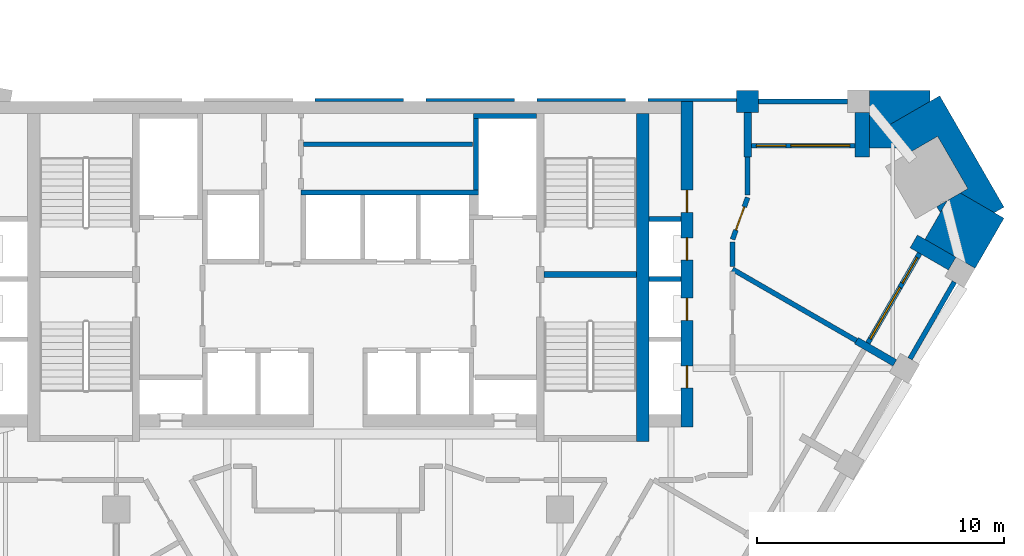
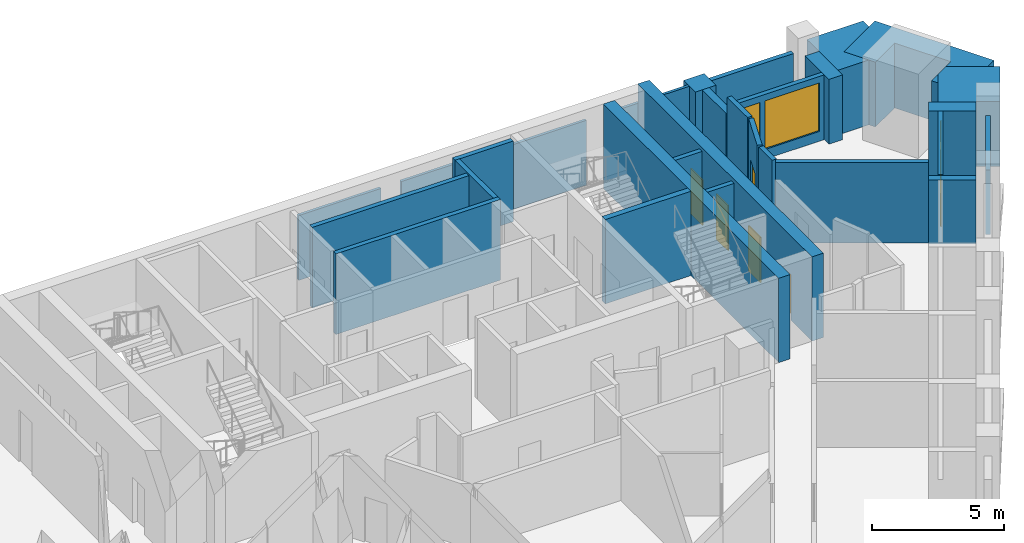
# One storey, part 7 of 9: 30 walls, 7 doors, 2 windows, 9 openings.
"""IFC4 building model written with IfcOpenShell, lengths in metres."""

from ifc_helpers import new_model, si_unit, direction, frame, frame_2d, origin, place, context, subcontext, project, spatial, polyline, rectangle, outline, extrude, material, layer, layer_set, type_object, element, fill, save


model = new_model("IFC4")

# Units and contexts
model_context = context("Model", 3, precision=1e-05, world=origin(), true_north=direction((0.0, 1.0)))
body_context = subcontext(model_context, "Body", "Model", "MODEL_VIEW")
ifc_project = project(units=[si_unit("LENGTHUNIT", "METRE"), si_unit("AREAUNIT", "SQUARE_METRE"), si_unit("VOLUMEUNIT", "CUBIC_METRE"), si_unit("PLANEANGLEUNIT", "RADIAN"), si_unit("MASSUNIT", "GRAM", prefix="KILO")], contexts=[model_context])

# Site, building, storey
site_placement = place(None, origin())
site = spatial("IfcSite", under=ifc_project, at=site_placement, CompositionType="ELEMENT")
building_placement = place(site_placement, origin())
building = spatial("IfcBuilding", under=site, at=building_placement, Name="Calabash Gate Tower", CompositionType="ELEMENT")
storey_placement = place(building_placement, frame((0.0, 0.0, 208.10009765625)))
storey = spatial("IfcBuildingStorey", under=building, at=storey_placement, Name="L49", CompositionType="ELEMENT", Elevation=208.10009765625)

# Walls
ifc_material_1 = material(Name="Terracotta brick masonry, exposed face", Category="masonry")
ifc_layer_1 = layer(ifc_material_1, 2.35009765625)
ifc_layer_set_1 = layer_set([ifc_layer_1], Name="Brick corner mass wall 2350")
wall_type_1 = type_object("IfcWallType", Name="Brick corner mass wall 2350", PredefinedType="SOLIDWALL", material=ifc_layer_set_1)
wall_1_placement = place(storey_placement, origin())
element("IfcWall", 1, at=wall_1_placement, inside=storey, type_object=wall_type_1, Name="Brick corner pier S14 3a", PredefinedType="SOLIDWALL", context=body_context, shape_type="SweptSolid", body=[
    extrude(outline(polyline([(23.80224609375, 13.456298828125), (25.05810546875, 12.731201171875), (25.058349609375, 12.731689453125), (25.837646484375, 12.28173828125), (27.009521484375, 14.311767578125), (25.237548828125, 15.334716796875), (24.711181640625, 15.03076171875), (23.80224609375, 13.456298828125)])), origin(), (0.0, 0.0, 1.0), 3.0),
])
wall_2_placement = place(storey_placement, origin())
element("IfcWall", 2, at=wall_2_placement, inside=storey, type_object=wall_type_1, Name="Brick corner pier S14 3ba", PredefinedType="SOLIDWALL", context=body_context, shape_type="SweptSolid", body=[
    extrude(outline(polyline([(24.426025390625, 14.53662109375), (24.711181640625, 15.03076171875), (24.283203125, 14.78369140625), (24.426025390625, 14.53662109375)])), origin(), (0.0, 0.0, 1.0), 3.0),
])
wall_3_placement = place(storey_placement, origin())
element("IfcWall", 3, at=wall_3_placement, inside=storey, type_object=wall_type_1, Name="Brick corner pier S14 3bb", PredefinedType="SOLIDWALL", context=body_context, shape_type="SweptSolid", body=[
    extrude(outline(polyline([(24.3173828125, 17.63232421875), (25.54248046875, 15.510498046875), (25.237548828125, 15.334716796875), (26.619873046875, 14.53662109375), (27.009521484375, 14.76171875), (24.40234375, 19.277587890625), (22.3671875, 18.1025390625), (23.058349609375, 16.905517578125), (24.3173828125, 17.63232421875)])), origin(), (0.0, 0.0, 1.0), 3.0),
])
wall_4_placement = place(storey_placement, origin())
element("IfcWall", 4, at=wall_4_placement, inside=storey, type_object=wall_type_1, Name="Brick corner pier S14 3c", PredefinedType="SOLIDWALL", context=body_context, shape_type="SweptSolid", body=[
    extrude(outline(polyline([(21.560791015625, 18.60302734375), (21.560791015625, 17.152587890625), (22.91552734375, 17.152587890625), (22.3671875, 18.1025390625), (24.0126953125, 19.052490234375), (24.0126953125, 19.50244140625), (21.56103515625, 19.50244140625), (21.56103515625, 18.60302734375), (21.560791015625, 18.60302734375)])), origin(), (0.0, 0.0, 1.0), 3.0),
])
ifc_material_2 = material(Name="Terracotta brick masonry, exposed face", Category="masonry")
ifc_layer_2 = layer(ifc_material_2, 0.89990234375)
ifc_layer_set_2 = layer_set([ifc_layer_2], Name="Brick end wall 900")
wall_type_2 = type_object("IfcWallType", Name="Brick end wall 900", PredefinedType="SOLIDWALL", material=ifc_layer_set_2)
wall_5_placement = place(storey_placement, origin())
element("IfcWall", 5, at=wall_5_placement, inside=storey, type_object=wall_type_2, Name="Brick pier S14 N4.1", PredefinedType="SOLIDWALL", context=body_context, shape_type="SweptSolid", body=[
    extrude(outline(polyline([(17.060791015625, 19.50244140625), (16.160888671875, 19.50244140625), (16.160888671875, 18.6025390625), (17.060791015625, 18.6025390625), (17.060791015625, 19.50244140625)])), origin(), (0.0, 0.0, 1.0), 3.0),
])
ifc_material_3 = material(Name="Terracotta brick masonry, exposed face", Category="masonry")
ifc_layer_3 = layer(ifc_material_3, 0.300048828125)
ifc_layer_set_3 = layer_set([ifc_layer_3], Name="Brick loggia cheek wall 300")
wall_type_3 = type_object("IfcWallType", Name="Brick loggia cheek wall 300", PredefinedType="SOLIDWALL", material=ifc_layer_set_3)
wall_6_placement = place(storey_placement, frame((21.02392578125, 9.344482421875, 0.0), z_axis=(0.0, 0.0, 1.0), x_axis=(0.865989075817, -0.500062916607, 0.0)))
element("IfcWall", 6, at=wall_6_placement, inside=storey, type_object=wall_type_3, Name="Loggia cheek S14 SE2.8", PredefinedType="SOLIDWALL", context=body_context, shape_type="SweptSolid", body=[
    extrude(rectangle(XDim=1.800048828125, YDim=0.300048828125, at=frame_2d((0.89990234375, 0.0))), origin(), (0.0, 0.0, 1.0), 2.949951171875),
])
wall_7_placement = place(storey_placement, frame((24.907958984375, 12.471435546875, 0.0), z_axis=(0.0, 0.0, 1.0), x_axis=(-0.866047807691, 0.499961193289, 0.0)))
element("IfcWall", 7, at=wall_7_placement, inside=storey, type_object=wall_type_3, Name="Loggia cheek S14 SE2.9", PredefinedType="SOLIDWALL", context=body_context, shape_type="SweptSolid", body=[
    extrude(rectangle(XDim=1.800048828125, YDim=0.60009765625, at=frame_2d((0.89990234375, 0.0))), origin(), (0.0, 0.0, 1.0), 3.0),
])
wall_8_placement = place(storey_placement, origin())
element("IfcWall", 8, at=wall_8_placement, inside=storey, type_object=wall_type_3, Name="Loggia cheek S14 N4.0", PredefinedType="SOLIDWALL", context=body_context, shape_type="SweptSolid", body=[
    extrude(outline(polyline([(21.560791015625, 16.802490234375), (21.560791015625, 18.6025390625), (20.9609375, 18.6025390625), (20.9609375, 16.802490234375), (21.560791015625, 16.802490234375)])), origin(), (0.0, 0.0, 1.0), 3.0),
])
wall_9_placement = place(storey_placement, origin())
element("IfcWall", 9, at=wall_9_placement, inside=storey, type_object=wall_type_3, Name="Loggia cheek S14 N4.1", PredefinedType="SOLIDWALL", context=body_context, shape_type="SweptSolid", body=[
    extrude(outline(polyline([(16.4609375, 18.6025390625), (16.4609375, 16.802490234375), (16.7607421875, 16.802490234375), (16.7607421875, 18.6025390625), (16.4609375, 18.6025390625)])), origin(), (0.0, 0.0, 1.0), 3.0),
])
ifc_material_4 = material(Name="Concrete C70/85", Category="concrete")
ifc_layer_4 = layer(ifc_material_4, 0.25)
ifc_layer_set_4 = layer_set([ifc_layer_4], Name="Core wall 250 Concrete C70/85")
wall_type_4 = type_object("IfcWallType", Name="Core wall 250 Concrete C70/85", PredefinedType="SHEAR", material=ifc_layer_set_4)
wall_10_placement = place(storey_placement, frame((8.35009765625, 12.027587890625, 0.0), z_axis=(0.0, 0.0, 1.0), x_axis=(1.0, 0.0, 0.0)))
element("IfcWall", 10, at=wall_10_placement, inside=storey, type_object=wall_type_4, Name="Core wall Z4-MIDE L49", PredefinedType="SHEAR", context=body_context, shape_type="SweptSolid", body=[
    extrude(rectangle(XDim=3.75, YDim=0.25, at=frame_2d((1.875, 0.0))), origin(), (0.0, 0.0, 1.0), 3.89990234375),
])
ifc_material_5 = material(Name="Concrete C70/85", Category="concrete")
ifc_layer_5 = layer(ifc_material_5, 0.5)
ifc_layer_set_5 = layer_set([ifc_layer_5], Name="Core wall 500 Concrete C70/85")
wall_type_5 = type_object("IfcWallType", Name="Core wall 500 Concrete C70/85", PredefinedType="SHEAR", material=ifc_layer_set_5)
wall_11_placement = place(storey_placement, frame((12.35009765625, 5.252685546875, 0.0), z_axis=(0.0, 0.0, 1.0), x_axis=(0.0, 1.0, 0.0)))
element("IfcWall", 11, at=wall_11_placement, inside=storey, type_object=wall_type_5, Name="Core wall Z4-COLE L49", PredefinedType="SHEAR", context=body_context, shape_type="SweptSolid", body=[
    extrude(rectangle(XDim=13.2998046875, YDim=0.5, at=frame_2d((6.64990234375, 0.0))), origin(), (0.0, 0.0, 1.0), 3.89990234375),
])

# Wall, openings, doors
wall_12_placement = place(storey_placement, frame((14.14990234375, 5.8525390625, 0.0), z_axis=(0.0, 0.0, 1.0), x_axis=(0.0, 1.0, 0.0)))
wall_12 = element("IfcWall", 12, at=wall_12_placement, inside=storey, type_object=wall_type_5, Name="Core wall Z4-ENDE L49", PredefinedType="SHEAR", context=body_context, shape_type="SweptSolid", body=[
    extrude(rectangle(XDim=13.199951171875, YDim=0.5, at=frame_2d((6.60009765625, 0.0))), origin(), (0.0, 0.0, 1.0), 3.89990234375),
])
opening_1_placement = place(wall_12_placement, frame((1.574951171875, 0.0, 0.0)))
opening_1 = element("IfcOpeningElement", 13, at=opening_1_placement, cuts=wall_12, Name="Opening O6-001", PredefinedType="OPENING", context=body_context, shape_type="SweptSolid", body=[
    extrude(rectangle(XDim=0.89990234375, YDim=2.10009765625, at=frame_2d((0.449951171875, 1.050048828125))), frame((0.0, 0.260009765625, 0.0), z_axis=(0.0, -1.0, 0.0), x_axis=(1.0, 0.0, 0.0)), (0.0, 0.0, 1.0), 0.52001953125),
])
opening_2_placement = place(wall_12_placement, frame((4.320068359375, 0.0, 0.0)))
opening_2 = element("IfcOpeningElement", 14, at=opening_2_placement, cuts=wall_12, Name="Opening O6-002", PredefinedType="OPENING", context=body_context, shape_type="SweptSolid", body=[
    extrude(rectangle(XDim=0.89990234375, YDim=2.10009765625, at=frame_2d((0.449951171875, 1.050048828125))), frame((0.0, 0.260009765625, 0.0), z_axis=(0.0, -1.0, 0.0), x_axis=(1.0, 0.0, 0.0)), (0.0, 0.0, 1.0), 0.52001953125),
])
opening_3_placement = place(wall_12_placement, frame((6.760009765625, 0.0, 0.0)))
opening_3 = element("IfcOpeningElement", 15, at=opening_3_placement, cuts=wall_12, Name="Opening O6-003", PredefinedType="OPENING", context=body_context, shape_type="SweptSolid", body=[
    extrude(rectangle(XDim=0.89990234375, YDim=2.10009765625, at=frame_2d((0.449951171875, 1.050048828125))), frame((0.0, 0.260009765625, 0.0), z_axis=(0.0, -1.0, 0.0), x_axis=(1.0, 0.0, 0.0)), (0.0, 0.0, 1.0), 0.52001953125),
])
opening_4_placement = place(wall_12_placement, frame((8.697509765625, 0.0, 0.0)))
opening_4 = element("IfcOpeningElement", 16, at=opening_4_placement, cuts=wall_12, Name="Opening O6-004", PredefinedType="OPENING", context=body_context, shape_type="SweptSolid", body=[
    extrude(rectangle(XDim=0.89990234375, YDim=2.10009765625, at=frame_2d((0.449951171875, 1.050048828125))), frame((0.0, 0.260009765625, 0.0), z_axis=(0.0, -1.0, 0.0), x_axis=(1.0, 0.0, 0.0)), (0.0, 0.0, 1.0), 0.52001953125),
])
ifc_material_6 = material(Name="Steel fire door set with fire-resisting glazing", Category="steel")
door_type_1 = type_object("IfcDoorType", Name="Fire door D06 900x2100 FD60", OperationType="NOTDEFINED", PredefinedType="DOOR", material=ifc_material_6)
door_1_placement = place(opening_1_placement, origin())
door_1 = element("IfcDoor", 17, at=door_1_placement, inside=storey, type_object=door_type_1, Name="Duct Riser door", OperationType="SINGLE_SWING_LEFT", OverallHeight=2.10009765625, OverallWidth=0.89990234375, PredefinedType="DOOR", context=body_context, shape_type="SweptSolid", body=[
    extrude(rectangle(XDim=0.89990234375, YDim=2.10009765625, at=frame_2d((0.449951171875, 1.050048828125))), frame((0.0, 0.02490234375, 0.0), z_axis=(0.0, -1.0, 0.0), x_axis=(1.0, 0.0, 0.0)), (0.0, 0.0, 1.0), 0.050048828125),
])
fill(opening_1, door_1)
door_2_placement = place(opening_2_placement, origin())
door_2 = element("IfcDoor", 18, at=door_2_placement, inside=storey, type_object=door_type_1, Name="Electrical Riser door", OperationType="SINGLE_SWING_RIGHT", OverallHeight=2.10009765625, OverallWidth=0.89990234375, PredefinedType="DOOR", context=body_context, shape_type="SweptSolid", body=[
    extrude(rectangle(XDim=0.89990234375, YDim=2.10009765625, at=frame_2d((0.449951171875, 1.050048828125))), frame((0.0, 0.02490234375, 0.0), z_axis=(0.0, -1.0, 0.0), x_axis=(1.0, 0.0, 0.0)), (0.0, 0.0, 1.0), 0.050048828125),
])
fill(opening_2, door_2)
door_3_placement = place(opening_3_placement, origin())
door_3 = element("IfcDoor", 19, at=door_3_placement, inside=storey, type_object=door_type_1, Name="Comms Riser door", OperationType="SINGLE_SWING_LEFT", OverallHeight=2.10009765625, OverallWidth=0.89990234375, PredefinedType="DOOR", context=body_context, shape_type="SweptSolid", body=[
    extrude(rectangle(XDim=0.89990234375, YDim=2.10009765625, at=frame_2d((0.449951171875, 1.050048828125))), frame((0.0, 0.02490234375, 0.0), z_axis=(0.0, -1.0, 0.0), x_axis=(1.0, 0.0, 0.0)), (0.0, 0.0, 1.0), 0.050048828125),
])
fill(opening_3, door_3)
door_4_placement = place(opening_4_placement, origin())
door_4 = element("IfcDoor", 20, at=door_4_placement, inside=storey, type_object=door_type_1, Name="Cleaner's Store door", OperationType="SINGLE_SWING_LEFT", OverallHeight=2.10009765625, OverallWidth=0.89990234375, PredefinedType="DOOR", context=body_context, shape_type="SweptSolid", body=[
    extrude(rectangle(XDim=0.89990234375, YDim=2.10009765625, at=frame_2d((0.449951171875, 1.050048828125))), frame((0.0, 0.02490234375, 0.0), z_axis=(0.0, -1.0, 0.0), x_axis=(1.0, 0.0, 0.0)), (0.0, 0.0, 1.0), 0.050048828125),
])
fill(opening_4, door_4)

# Walls
ifc_material_7 = material(Name="Gypsum board on steel studs, mineral wool", Category="steel")
ifc_layer_6 = layer(ifc_material_7, 0.199951171875)
ifc_layer_set_6 = layer_set([ifc_layer_6], Name="Partition 200 gypsum board EI 60")
wall_type_6 = type_object("IfcWallType", Name="Partition 200 gypsum board EI 60", PredefinedType="PARTITIONING", material=ifc_layer_set_6)
wall_13_placement = place(storey_placement, frame((16.00048828125, 12.242431640625, 0.0), z_axis=(0.0, 0.0, 1.0), x_axis=(0.866181381022, -0.499729742132, 0.0)))
element("IfcWall", 21, at=wall_13_placement, inside=storey, type_object=wall_type_6, Name="Partition", PredefinedType="PARTITIONING", context=body_context, shape_type="SweptSolid", body=[
    extrude(rectangle(XDim=5.799560546875, YDim=0.199951171875, at=frame_2d((2.89990234375, 0.0))), origin(), (0.0, 0.0, 1.0), 3.72998046875),
])
wall_14_placement = place(storey_placement, frame((16.00048828125, 13.3525390625, 0.0), z_axis=(0.0, 0.0, 1.0), x_axis=(0.001452431293, -0.999998945221, 0.0)))
element("IfcWall", 22, at=wall_14_placement, inside=storey, type_object=wall_type_6, Name="Partition", PredefinedType="PARTITIONING", context=body_context, shape_type="SweptSolid", body=[
    extrude(rectangle(XDim=1.008544921875, YDim=0.199951171875, at=frame_2d((0.50439453125, 0.0))), origin(), (0.0, 0.0, 1.0), 3.72998046875),
])

# Wall, opening, door
wall_15_placement = place(storey_placement, frame((16.00048828125, 13.452392578125, 0.0), z_axis=(0.0, 0.0, 1.0), x_axis=(0.338159450366, 0.941088830094, 0.0)))
wall_15 = element("IfcWall", 23, at=wall_15_placement, inside=storey, type_object=wall_type_6, Name="Partition", PredefinedType="PARTITIONING", context=body_context, shape_type="SweptSolid", body=[
    extrude(rectangle(XDim=1.806396484375, YDim=0.199951171875, at=frame_2d((0.9033203125, 0.0))), origin(), (0.0, 0.0, 1.0), 3.72998046875),
])
opening_5_placement = place(wall_15_placement, frame((0.403076171875, 0.0, 0.0)))
opening_5 = element("IfcOpeningElement", 24, at=opening_5_placement, cuts=wall_15, Name="Opening 49-51-013", PredefinedType="OPENING", context=body_context, shape_type="SweptSolid", body=[
    extrude(rectangle(XDim=1.0, YDim=2.10009765625, at=frame_2d((0.5, 1.050048828125))), frame((0.0, 0.10986328125, 0.0), z_axis=(0.0, -1.0, 0.0), x_axis=(1.0, 0.0, 0.0)), (0.0, 0.0, 1.0), 0.219970703125),
])
ifc_material_8 = material(Name="Steel fire door set with fire-resisting glazing", Category="steel")
door_type_2 = type_object("IfcDoorType", Name="LD2 Meeting room door 1000x2100", OperationType="NOTDEFINED", PredefinedType="DOOR", material=ifc_material_8)
door_5_placement = place(opening_5_placement, origin())
door_5 = element("IfcDoor", 25, at=door_5_placement, inside=storey, type_object=door_type_2, Name="Meeting room door", OperationType="SINGLE_SWING_LEFT", OverallHeight=2.10009765625, OverallWidth=1.0, PredefinedType="DOOR", context=body_context, shape_type="SweptSolid", body=[
    extrude(rectangle(XDim=1.0, YDim=2.10009765625, at=frame_2d((0.5, 1.050048828125))), frame((0.0, 0.02490234375, 0.0), z_axis=(0.0, -1.0, 0.0), x_axis=(1.0, 0.0, 0.0)), (0.0, 0.0, 1.0), 0.050048828125),
])
fill(opening_5, door_5)

# Walls
wall_16_placement = place(storey_placement, frame((16.611328125, 15.25244140625, 0.0), z_axis=(0.0, 0.0, 1.0), x_axis=(0.0, 1.0, 0.0)))
element("IfcWall", 26, at=wall_16_placement, inside=storey, type_object=wall_type_6, Name="Partition", PredefinedType="PARTITIONING", context=body_context, shape_type="SweptSolid", body=[
    extrude(rectangle(XDim=1.550048828125, YDim=0.199951171875, at=frame_2d((0.77490234375, 0.0))), origin(), (0.0, 0.0, 1.0), 3.72998046875),
])
ifc_material_9 = material(Name="Concrete C40/50", Category="concrete")
ifc_layer_7 = layer(ifc_material_9, 0.199951171875)
ifc_layer_set_7 = layer_set([ifc_layer_7], Name="Shaft wall 200 Concrete C40/50")
wall_type_7 = type_object("IfcWallType", Name="Shaft wall 200 Concrete C40/50", PredefinedType="SOLIDWALL", material=ifc_layer_set_7)
for number, where, z_axis, x_axis, name in (
    (27, (12.60009765625, 11.842529296875, 0.0), (0.0, 0.0, 1.0), (1.0, 0.0, 0.0), "Shaft wall"),
    (28, (12.60009765625, 14.28271484375, 0.0), (0.0, 0.0, 1.0), (1.0, 0.0, 0.0), "Shaft wall"),
):
    element("IfcWall", number, at=place(storey_placement, frame(where, z_axis=z_axis, x_axis=x_axis)), inside=storey, type_object=wall_type_7, Name=name, PredefinedType="SOLIDWALL", context=body_context, shape_type="SweptSolid", body=[
        extrude(rectangle(XDim=1.2998046875, YDim=0.199951171875, at=frame_2d((0.64990234375, 0.0))), origin(), (0.0, 0.0, 1.0), 3.72998046875),
    ])
wall_17_placement = place(storey_placement, frame((-1.5, 15.3525390625, 0.0), z_axis=(0.0, 0.0, 1.0), x_axis=(1.0, 0.0, 0.0)))
element("IfcWall", 29, at=wall_17_placement, inside=storey, type_object=wall_type_7, Name="Shaft wall", PredefinedType="SOLIDWALL", context=body_context, shape_type="SweptSolid", body=[
    extrude(rectangle(XDim=7.199951171875, YDim=0.199951171875, at=frame_2d((3.60009765625, 0.0))), origin(), (0.0, 0.0, 1.0), 3.72998046875),
])
wall_18_placement = place(storey_placement, frame((5.60009765625, 15.45263671875, 0.0), z_axis=(0.0, 0.0, 1.0), x_axis=(0.0, 1.0, 0.0)))
element("IfcWall", 30, at=wall_18_placement, inside=storey, type_object=wall_type_7, Name="Shaft wall", PredefinedType="SOLIDWALL", context=body_context, shape_type="SweptSolid", body=[
    extrude(rectangle(XDim=2.89990234375, YDim=0.199951171875, at=frame_2d((1.449951171875, 0.0))), origin(), (0.0, 0.0, 1.0), 3.72998046875),
])
wall_19_placement = place(storey_placement, frame((-1.39990234375, 17.3125, 0.0), z_axis=(0.0, 0.0, 1.0), x_axis=(1.0, 0.0, 0.0)))
element("IfcWall", 31, at=wall_19_placement, inside=storey, type_object=wall_type_7, Name="Shaft wall", PredefinedType="SOLIDWALL", context=body_context, shape_type="SweptSolid", body=[
    extrude(rectangle(XDim=6.849853515625, YDim=0.199951171875, at=frame_2d((3.4248046875, 0.0))), origin(), (0.0, 0.0, 1.0), 3.72998046875),
])
wall_20_placement = place(storey_placement, frame((5.5, 18.45263671875, 0.0), z_axis=(0.0, 0.0, 1.0), x_axis=(1.0, 0.0, 0.0)))
element("IfcWall", 32, at=wall_20_placement, inside=storey, type_object=wall_type_7, Name="Shaft wall", PredefinedType="SOLIDWALL", context=body_context, shape_type="SweptSolid", body=[
    extrude(rectangle(XDim=2.550048828125, YDim=0.199951171875, at=frame_2d((1.27490234375, 0.0))), origin(), (0.0, 0.0, 1.0), 3.72998046875),
])
ifc_material_10 = material(Name="Terracotta brick masonry, perforated", Category="masonry")
ifc_layer_8 = layer(ifc_material_10, 0.1201171875)
ifc_layer_set_8 = layer_set([ifc_layer_8], Name="Terracotta jaali cladding B 120")
wall_type_8 = type_object("IfcWallType", Name="Terracotta jaali cladding B 120", PredefinedType="SOLIDWALL", material=ifc_layer_set_8)
wall_21_placement = place(storey_placement, origin())
element("IfcWall", 33, at=wall_21_placement, inside=storey, type_object=wall_type_8, Name="Jaali cladding S14 N4.3", PredefinedType="SOLIDWALL", context=body_context, shape_type="SweptSolid", body=[
    extrude(outline(polyline([(8.060791015625, 19.172607421875), (8.060791015625, 19.052490234375), (11.660888671875, 19.052490234375), (11.660888671875, 19.172607421875), (8.060791015625, 19.172607421875)])), origin(), (0.0, 0.0, 1.0), 3.0),
])
wall_22_placement = place(storey_placement, origin())
element("IfcWall", 34, at=wall_22_placement, inside=storey, type_object=wall_type_8, Name="Jaali cladding S14 N4.5", PredefinedType="SOLIDWALL", context=body_context, shape_type="SweptSolid", body=[
    extrude(outline(polyline([(-0.939208984375, 19.172607421875), (-0.939208984375, 19.052490234375), (2.660888671875, 19.052490234375), (2.660888671875, 19.172607421875), (-0.939208984375, 19.172607421875)])), origin(), (0.0, 0.0, 1.0), 3.0),
])
ifc_material_11 = material(Name="Terracotta brick masonry, perforated", Category="masonry")
ifc_layer_9 = layer(ifc_material_11, 0.199951171875)
ifc_layer_set_9 = layer_set([ifc_layer_9], Name="Terracotta jaali screen B")
wall_type_9 = type_object("IfcWallType", Name="Terracotta jaali screen B", PredefinedType="SOLIDWALL", material=ifc_layer_set_9)
for number, where, z_axis, x_axis, name in (
    (35, (23.197509765625, 8.609130859375, 0.0), (0.0, 0.0, 1.0), (0.500012057535, 0.866018442252, 0.0), "SCREEN B S14 SE2.9"),
    (36, (20.660888671875, 19.052490234375, 0.0), (0.0, 0.0, 1.0), (-1.0, 0.0, 0.0), "SCREEN B S14 N4.1"),
):
    element("IfcWall", number, at=place(storey_placement, frame(where, z_axis=z_axis, x_axis=x_axis)), inside=storey, type_object=wall_type_9, Name=name, PredefinedType="SOLIDWALL", context=body_context, shape_type="SweptSolid", body=[
        extrude(rectangle(XDim=3.60009765625, YDim=0.199951171875, at=frame_2d((1.800048828125, 0.0))), origin(), (0.0, 0.0, 1.0), 3.0),
    ])
ifc_material_12 = material(Name="Terracotta louvre blades in an aluminium frame", Category="masonry")
ifc_layer_10 = layer(ifc_material_12, 0.1201171875)
ifc_layer_set_10 = layer_set([ifc_layer_10], Name="Terracotta vent louvre cladding 120")
wall_type_10 = type_object("IfcWallType", Name="Terracotta vent louvre cladding 120", PredefinedType="ELEMENTEDWALL", material=ifc_layer_set_10)
wall_23_placement = place(storey_placement, origin())
element("IfcWall", 37, at=wall_23_placement, inside=storey, type_object=wall_type_10, Name="Vent louvre cladding S14 N4.2", PredefinedType="ELEMENTEDWALL", context=body_context, shape_type="SweptSolid", body=[
    extrude(outline(polyline([(12.560791015625, 19.172607421875), (12.560791015625, 19.052490234375), (16.160400390625, 19.052490234375), (16.160400390625, 19.172607421875), (12.560791015625, 19.172607421875)])), origin(), (0.0, 0.0, 1.0), 3.0),
])
wall_24_placement = place(storey_placement, origin())
element("IfcWall", 38, at=wall_24_placement, inside=storey, type_object=wall_type_10, Name="Vent louvre cladding S14 N4.4", PredefinedType="ELEMENTEDWALL", context=body_context, shape_type="SweptSolid", body=[
    extrude(outline(polyline([(3.560791015625, 19.172607421875), (3.560791015625, 19.052490234375), (7.160888671875, 19.052490234375), (7.160888671875, 19.172607421875), (3.560791015625, 19.172607421875)])), origin(), (0.0, 0.0, 1.0), 3.0),
])

# Wall, openings, door, window
ifc_material_13 = material(Name="Aluminium framed window wall with insulated spandrel", Category="aluminium")
ifc_layer_11 = layer(ifc_material_13, 0.199951171875)
ifc_layer_set_11 = layer_set([ifc_layer_11], Name="Window wall 200")
wall_type_11 = type_object("IfcWallType", Name="Window wall 200", PredefinedType="ELEMENTEDWALL", material=ifc_layer_set_11)
wall_25_placement = place(storey_placement, frame((21.48876953125, 9.249267578125, 0.0), z_axis=(0.0, 0.0, 1.0), x_axis=(0.500002543286, 0.866023935413, 0.0)))
wall_25 = element("IfcWall", 39, at=wall_25_placement, inside=storey, type_object=wall_type_11, Name="Window wall S14 SE2.9", PredefinedType="ELEMENTEDWALL", context=body_context, shape_type="SweptSolid", body=[
    extrude(rectangle(XDim=4.2001953125, YDim=0.199951171875, at=frame_2d((2.10009765625, 0.0))), origin(), (0.0, 0.0, 1.0), 3.0),
])
opening_6_placement = place(wall_25_placement, frame((0.199951171875, 0.0, 0.449951171875)))
opening_6 = element("IfcOpeningElement", 40, at=opening_6_placement, cuts=wall_25, Name="Opening OW1", PredefinedType="OPENING", context=body_context, shape_type="SweptSolid", body=[
    extrude(rectangle(XDim=2.39990234375, YDim=2.25, at=frame_2d((1.199951171875, 1.125))), frame((0.0, 0.10986328125, 0.0), z_axis=(0.0, -1.0, 0.0), x_axis=(1.0, 0.0, 0.0)), (0.0, 0.0, 1.0), 0.219970703125),
])
opening_7_placement = place(wall_25_placement, frame((2.800048828125, 0.0, 0.0)))
opening_7 = element("IfcOpeningElement", 41, at=opening_7_placement, cuts=wall_25, Name="Opening O6-024", PredefinedType="OPENING", context=body_context, shape_type="SweptSolid", body=[
    extrude(rectangle(XDim=1.199951171875, YDim=2.699951171875, at=frame_2d((0.60009765625, 1.35009765625))), frame((0.0, 0.10986328125, 0.0), z_axis=(0.0, -1.0, 0.0), x_axis=(1.0, 0.0, 0.0)), (0.0, 0.0, 1.0), 0.219970703125),
])
ifc_material_14 = material(Name="Anodised aluminium frame, bronze finish, impact-rated laminated clear glazing", Category="aluminium")
door_type_3 = type_object("IfcDoorType", Name="Loggia door DO1 1200x2700", OperationType="SLIDING_TO_LEFT", PredefinedType="DOOR", material=ifc_material_14)
door_6_placement = place(opening_7_placement, origin())
door_6 = element("IfcDoor", 42, at=door_6_placement, inside=storey, type_object=door_type_3, Name="Loggia door S14 SE2.9", OperationType="SINGLE_SWING_LEFT", OverallHeight=2.699951171875, OverallWidth=1.199951171875, PredefinedType="DOOR", context=body_context, shape_type="SweptSolid", body=[
    extrude(rectangle(XDim=1.199951171875, YDim=2.699951171875, at=frame_2d((0.60009765625, 1.35009765625))), frame((0.0, 0.02490234375, 0.0), z_axis=(0.0, -1.0, 0.0), x_axis=(1.0, 0.0, 0.0)), (0.0, 0.0, 1.0), 0.050048828125),
])
fill(opening_7, door_6)
ifc_material_15 = material(Name="Anodised aluminium frame, bronze finish, impact-rated laminated clear glazing", Category="aluminium")
window_type = type_object("IfcWindowType", Name="Window OW1 2400x2250", PartitioningType="DOUBLE_PANEL_VERTICAL", PredefinedType="WINDOW", material=ifc_material_15)
window_1_placement = place(opening_6_placement, origin())
window_1 = element("IfcWindow", 43, at=window_1_placement, inside=storey, type_object=window_type, Name="Window OW1 S14 SE2.9", OverallHeight=2.25, OverallWidth=2.39990234375, PartitioningType="SINGLE_PANEL", PredefinedType="WINDOW", context=body_context, shape_type="SweptSolid", body=[
    extrude(rectangle(XDim=2.39990234375, YDim=2.25, at=frame_2d((1.199951171875, 1.125))), frame((0.0, 0.030029296875, 0.0), z_axis=(0.0, -1.0, 0.0), x_axis=(1.0, 0.0, 0.0)), (0.0, 0.0, 1.0), 0.06005859375),
])
fill(opening_6, window_1)

wall_26_placement = place(storey_placement, frame((20.9609375, 17.25244140625, 0.0), z_axis=(0.0, 0.0, 1.0), x_axis=(-1.0, 0.0, 0.0)))
wall_26 = element("IfcWall", 44, at=wall_26_placement, inside=storey, type_object=wall_type_11, Name="Window wall S14 N4.1", PredefinedType="ELEMENTEDWALL", context=body_context, shape_type="SweptSolid", body=[
    extrude(rectangle(XDim=4.2001953125, YDim=0.199951171875, at=frame_2d((2.10009765625, 0.0))), origin(), (0.0, 0.0, 1.0), 3.0),
])
opening_8_placement = place(wall_26_placement, frame((0.199951171875, 0.0, 0.449951171875)))
opening_8 = element("IfcOpeningElement", 45, at=opening_8_placement, cuts=wall_26, Name="Opening OW1", PredefinedType="OPENING", context=body_context, shape_type="SweptSolid", body=[
    extrude(rectangle(XDim=2.39990234375, YDim=2.25, at=frame_2d((1.199951171875, 1.125))), frame((0.0, 0.10986328125, 0.0), z_axis=(0.0, -1.0, 0.0), x_axis=(1.0, 0.0, 0.0)), (0.0, 0.0, 1.0), 0.219970703125),
])
opening_9_placement = place(wall_26_placement, frame((2.800048828125, 0.0, 0.0)))
opening_9 = element("IfcOpeningElement", 46, at=opening_9_placement, cuts=wall_26, Name="Opening O6-021", PredefinedType="OPENING", context=body_context, shape_type="SweptSolid", body=[
    extrude(rectangle(XDim=1.199951171875, YDim=2.699951171875, at=frame_2d((0.60009765625, 1.35009765625))), frame((0.0, 0.10986328125, 0.0), z_axis=(0.0, -1.0, 0.0), x_axis=(1.0, 0.0, 0.0)), (0.0, 0.0, 1.0), 0.219970703125),
])
door_7_placement = place(opening_9_placement, origin())
door_7 = element("IfcDoor", 47, at=door_7_placement, inside=storey, type_object=door_type_3, Name="Loggia door S14 N4.1", OperationType="SINGLE_SWING_LEFT", OverallHeight=2.699951171875, OverallWidth=1.199951171875, PredefinedType="DOOR", context=body_context, shape_type="SweptSolid", body=[
    extrude(rectangle(XDim=1.199951171875, YDim=2.699951171875, at=frame_2d((0.60009765625, 1.35009765625))), frame((0.0, 0.02490234375, 0.0), z_axis=(0.0, -1.0, 0.0), x_axis=(1.0, 0.0, 0.0)), (0.0, 0.0, 1.0), 0.050048828125),
])
fill(opening_9, door_7)
window_2_placement = place(opening_8_placement, origin())
window_2 = element("IfcWindow", 48, at=window_2_placement, inside=storey, type_object=window_type, Name="Window OW1 S14 N4.1", OverallHeight=2.25, OverallWidth=2.39990234375, PartitioningType="SINGLE_PANEL", PredefinedType="WINDOW", context=body_context, shape_type="SweptSolid", body=[
    extrude(rectangle(XDim=2.39990234375, YDim=2.25, at=frame_2d((1.199951171875, 1.125))), frame((0.0, 0.030029296875, 0.0), z_axis=(0.0, -1.0, 0.0), x_axis=(1.0, 0.0, 0.0)), (0.0, 0.0, 1.0), 0.06005859375),
])
fill(opening_8, window_2)

save(model, "model.ifc")
